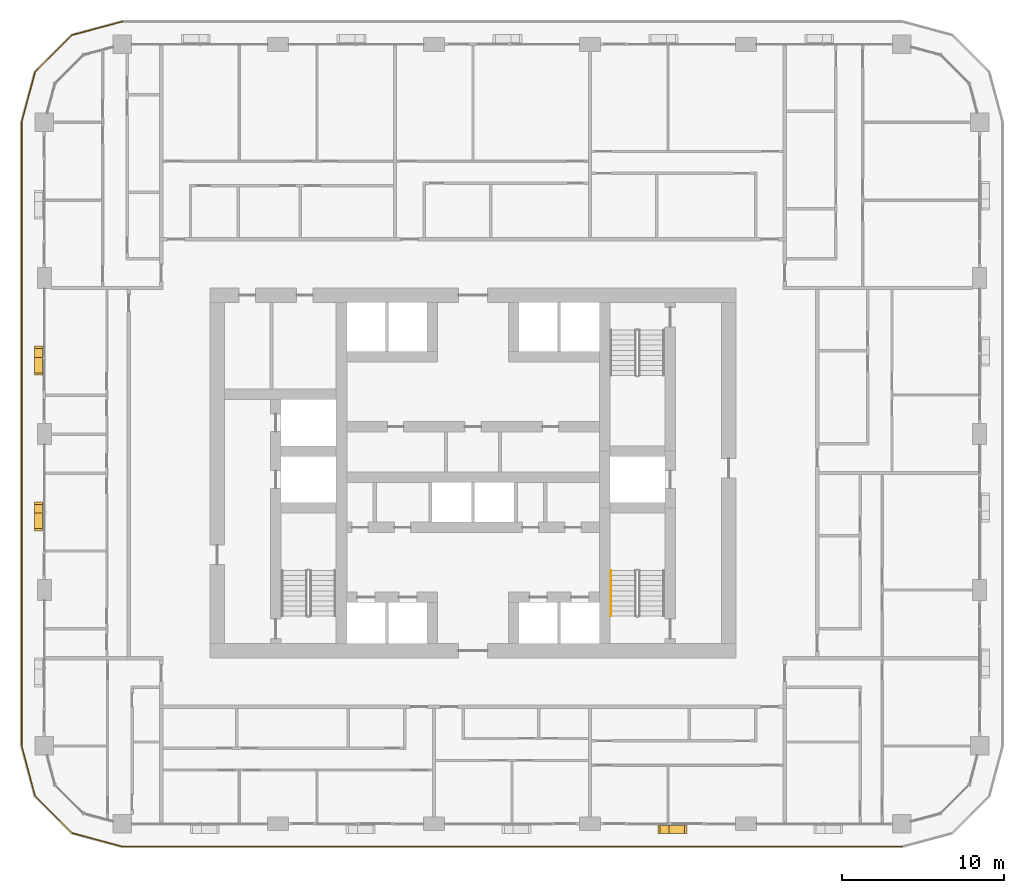
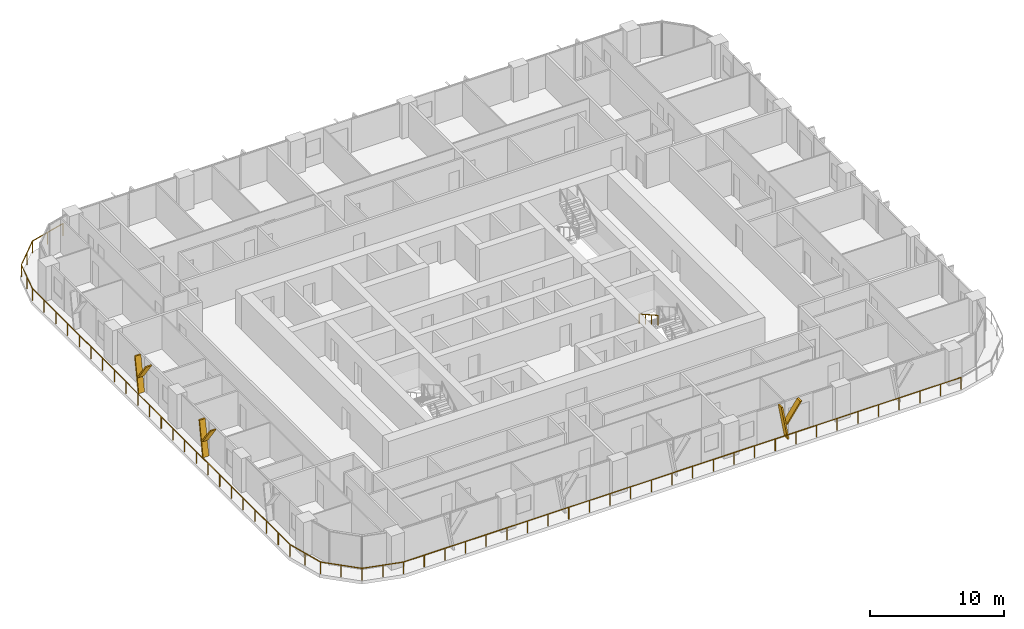
# One storey, part 17 of 21: 6 shading devices, 2 railings.
"""IFC4 building model written with IfcOpenShell, lengths in metres."""

from ifc_helpers import new_model, si_unit, direction, frame, origin, origin_2d, place, context, subcontext, project, spatial, polyline, circle, outline, extrude, material, type_object, element, save


model = new_model("IFC4")

# Units and contexts
model_context = context("Model", 3, precision=1e-05, world=origin(), true_north=direction((0.0, 1.0)))
body_context = subcontext(model_context, "Body", "Model", "MODEL_VIEW")
ifc_project = project(units=[si_unit("LENGTHUNIT", "METRE"), si_unit("AREAUNIT", "SQUARE_METRE"), si_unit("VOLUMEUNIT", "CUBIC_METRE"), si_unit("PLANEANGLEUNIT", "RADIAN"), si_unit("MASSUNIT", "GRAM", prefix="KILO")], contexts=[model_context])

# Site, building, storey
site_placement = place(None, origin())
site = spatial("IfcSite", under=ifc_project, at=site_placement, CompositionType="ELEMENT")
building_placement = place(site_placement, origin())
building = spatial("IfcBuilding", under=site, at=building_placement, Name="Madar Terraces", CompositionType="ELEMENT")
storey_placement = place(building_placement, frame((0.0, 0.0, 110.199951171875)))
storey = spatial("IfcBuildingStorey", under=building, at=storey_placement, Name="L28", CompositionType="ELEMENT", Elevation=110.199951171875)

# Railing
ifc_material_1 = material(Name="Glass, safety glazing, with stainless steel posts", Category="steel")
railing_type_1 = type_object("IfcRailingType", Name="Balcony glass guard 1100", PredefinedType="GUARDRAIL", material=ifc_material_1)
railing_1_placement = place(storey_placement, frame((9.60009765625, 54.199951171875, 0.0)))
element("IfcRailing", 1, at=railing_1_placement, inside=storey, type_object=railing_type_1, Name="Balcony guard", PredefinedType="GUARDRAIL", context=body_context, shape_type="SweptSolid", body=[
    extrude(circle(Radius=0.02392578125, at=origin_2d()), frame((0.0, 0.0, 1.076171875), z_axis=(-0.9659337912, -0.258789317819, 0.0), x_axis=(0.258789317819, -0.9659337912, 0.0)), (0.0, 0.0, 1.0), 3.20947265625),
    extrude(circle(Radius=0.02392578125, at=origin_2d()), frame((-3.10009765625, -0.83056640625, 1.076171875), z_axis=(-0.707106781187, -0.707106781187, 0.0), x_axis=(0.707106781187, -0.707106781187, 0.0)), (0.0, 0.0, 1.0), 3.209228515625),
    extrude(circle(Radius=0.02392578125, at=origin_2d()), frame((-5.369384765625, -3.099853515625, 1.076171875), z_axis=(-0.258860290944, -0.965914773555, 0.0), x_axis=(0.965914773555, -0.258860290944, 0.0)), (0.0, 0.0, 1.0), 3.20947265625),
    extrude(circle(Radius=0.02392578125, at=origin_2d()), frame((-6.2001953125, -6.199951171875, 1.076171875), z_axis=(0.0, -1.0, 0.0), x_axis=(1.0, 0.0, 0.0)), (0.0, 0.0, 1.0), 38.39990234375),
    extrude(circle(Radius=0.02392578125, at=origin_2d()), frame((-6.2001953125, -44.599853515625, 1.076171875), z_axis=(0.258860290944, -0.965914773555, 0.0), x_axis=(0.965914773555, 0.258860290944, 0.0)), (0.0, 0.0, 1.0), 3.20947265625),
    extrude(circle(Radius=0.02392578125, at=origin_2d()), frame((-5.369384765625, -47.699951171875, 1.076171875), z_axis=(0.707106781187, -0.707106781187, 0.0), x_axis=(0.707106781187, 0.707106781187, 0.0)), (0.0, 0.0, 1.0), 3.209228515625),
    extrude(circle(Radius=0.02392578125, at=origin_2d()), frame((-3.10009765625, -49.96923828125, 1.076171875), z_axis=(0.965914773555, -0.258860290944, 0.0), x_axis=(0.258860290944, 0.965914773555, 0.0)), (0.0, 0.0, 1.0), 3.20947265625),
    extrude(circle(Radius=0.02392578125, at=origin_2d()), frame((0.0, -50.800048828125, 1.076171875), z_axis=(1.0, 0.0, 0.0), x_axis=(0.0, 1.0, 0.0)), (0.0, 0.0, 1.0), 48.0),
    extrude(circle(Radius=0.02099609375, at=origin_2d()), origin(), (0.0, 0.0, 1.0), 1.052001953125),
    extrude(circle(Radius=0.02099609375, at=origin_2d()), frame((-1.550048828125, -0.415283203125, 0.0)), (0.0, 0.0, 1.0), 1.052001953125),
    extrude(circle(Radius=0.02099609375, at=origin_2d()), frame((-3.10009765625, -0.83056640625, 0.0)), (0.0, 0.0, 1.0), 1.052001953125),
    extrude(circle(Radius=0.02099609375, at=origin_2d()), frame((-4.23486328125, -1.96533203125, 0.0)), (0.0, 0.0, 1.0), 1.052001953125),
    extrude(circle(Radius=0.02099609375, at=origin_2d()), frame((-5.369384765625, -3.099853515625, 0.0)), (0.0, 0.0, 1.0), 1.052001953125),
    extrude(circle(Radius=0.02099609375, at=origin_2d()), frame((-5.78466796875, -4.64990234375, 0.0)), (0.0, 0.0, 1.0), 1.052001953125),
    extrude(circle(Radius=0.02099609375, at=origin_2d()), frame((-6.2001953125, -6.199951171875, 0.0)), (0.0, 0.0, 1.0), 1.052001953125),
    extrude(circle(Radius=0.02099609375, at=origin_2d()), frame((-6.2001953125, -7.9453125, 0.0)), (0.0, 0.0, 1.0), 1.052001953125),
    extrude(circle(Radius=0.02099609375, at=origin_2d()), frame((-6.2001953125, -9.69091796875, 0.0)), (0.0, 0.0, 1.0), 1.052001953125),
    extrude(circle(Radius=0.02099609375, at=origin_2d()), frame((-6.2001953125, -11.436279296875, 0.0)), (0.0, 0.0, 1.0), 1.052001953125),
    extrude(circle(Radius=0.02099609375, at=origin_2d()), frame((-6.2001953125, -13.181640625, 0.0)), (0.0, 0.0, 1.0), 1.052001953125),
    extrude(circle(Radius=0.02099609375, at=origin_2d()), frame((-6.2001953125, -14.92724609375, 0.0)), (0.0, 0.0, 1.0), 1.052001953125),
    extrude(circle(Radius=0.02099609375, at=origin_2d()), frame((-6.2001953125, -16.672607421875, 0.0)), (0.0, 0.0, 1.0), 1.052001953125),
    extrude(circle(Radius=0.02099609375, at=origin_2d()), frame((-6.2001953125, -18.418212890625, 0.0)), (0.0, 0.0, 1.0), 1.052001953125),
    extrude(circle(Radius=0.02099609375, at=origin_2d()), frame((-6.2001953125, -20.16357421875, 0.0)), (0.0, 0.0, 1.0), 1.052001953125),
    extrude(circle(Radius=0.02099609375, at=origin_2d()), frame((-6.2001953125, -21.908935546875, 0.0)), (0.0, 0.0, 1.0), 1.052001953125),
    extrude(circle(Radius=0.02099609375, at=origin_2d()), frame((-6.2001953125, -23.654541015625, 0.0)), (0.0, 0.0, 1.0), 1.052001953125),
    extrude(circle(Radius=0.02099609375, at=origin_2d()), frame((-6.2001953125, -25.39990234375, 0.0)), (0.0, 0.0, 1.0), 1.052001953125),
    extrude(circle(Radius=0.02099609375, at=origin_2d()), frame((-6.2001953125, -27.145263671875, 0.0)), (0.0, 0.0, 1.0), 1.052001953125),
    extrude(circle(Radius=0.02099609375, at=origin_2d()), frame((-6.2001953125, -28.890869140625, 0.0)), (0.0, 0.0, 1.0), 1.052001953125),
    extrude(circle(Radius=0.02099609375, at=origin_2d()), frame((-6.2001953125, -30.63623046875, 0.0)), (0.0, 0.0, 1.0), 1.052001953125),
    extrude(circle(Radius=0.02099609375, at=origin_2d()), frame((-6.2001953125, -32.381591796875, 0.0)), (0.0, 0.0, 1.0), 1.052001953125),
    extrude(circle(Radius=0.02099609375, at=origin_2d()), frame((-6.2001953125, -34.127197265625, 0.0)), (0.0, 0.0, 1.0), 1.052001953125),
    extrude(circle(Radius=0.02099609375, at=origin_2d()), frame((-6.2001953125, -35.87255859375, 0.0)), (0.0, 0.0, 1.0), 1.052001953125),
    extrude(circle(Radius=0.02099609375, at=origin_2d()), frame((-6.2001953125, -37.6181640625, 0.0)), (0.0, 0.0, 1.0), 1.052001953125),
    extrude(circle(Radius=0.02099609375, at=origin_2d()), frame((-6.2001953125, -39.363525390625, 0.0)), (0.0, 0.0, 1.0), 1.052001953125),
    extrude(circle(Radius=0.02099609375, at=origin_2d()), frame((-6.2001953125, -41.10888671875, 0.0)), (0.0, 0.0, 1.0), 1.052001953125),
    extrude(circle(Radius=0.02099609375, at=origin_2d()), frame((-6.2001953125, -42.8544921875, 0.0)), (0.0, 0.0, 1.0), 1.052001953125),
    extrude(circle(Radius=0.02099609375, at=origin_2d()), frame((-6.2001953125, -44.599853515625, 0.0)), (0.0, 0.0, 1.0), 1.052001953125),
    extrude(circle(Radius=0.02099609375, at=origin_2d()), frame((-5.78466796875, -46.14990234375, 0.0)), (0.0, 0.0, 1.0), 1.052001953125),
    extrude(circle(Radius=0.02099609375, at=origin_2d()), frame((-5.369384765625, -47.699951171875, 0.0)), (0.0, 0.0, 1.0), 1.052001953125),
    extrude(circle(Radius=0.02099609375, at=origin_2d()), frame((-4.23486328125, -48.83447265625, 0.0)), (0.0, 0.0, 1.0), 1.052001953125),
    extrude(circle(Radius=0.02099609375, at=origin_2d()), frame((-3.10009765625, -49.96923828125, 0.0)), (0.0, 0.0, 1.0), 1.052001953125),
    extrude(circle(Radius=0.02099609375, at=origin_2d()), frame((-1.550048828125, -50.384765625, 0.0)), (0.0, 0.0, 1.0), 1.052001953125),
    extrude(circle(Radius=0.02099609375, at=origin_2d()), frame((0.0, -50.800048828125, 0.0)), (0.0, 0.0, 1.0), 1.052001953125),
    extrude(circle(Radius=0.02099609375, at=origin_2d()), frame((1.77783203125, -50.800048828125, 0.0)), (0.0, 0.0, 1.0), 1.052001953125),
    extrude(circle(Radius=0.02099609375, at=origin_2d()), frame((3.5556640625, -50.800048828125, 0.0)), (0.0, 0.0, 1.0), 1.052001953125),
    extrude(circle(Radius=0.02099609375, at=origin_2d()), frame((5.333251953125, -50.800048828125, 0.0)), (0.0, 0.0, 1.0), 1.052001953125),
    extrude(circle(Radius=0.02099609375, at=origin_2d()), frame((7.111083984375, -50.800048828125, 0.0)), (0.0, 0.0, 1.0), 1.052001953125),
    extrude(circle(Radius=0.02099609375, at=origin_2d()), frame((8.888916015625, -50.800048828125, 0.0)), (0.0, 0.0, 1.0), 1.052001953125),
    extrude(circle(Radius=0.02099609375, at=origin_2d()), frame((10.666748046875, -50.800048828125, 0.0)), (0.0, 0.0, 1.0), 1.052001953125),
    extrude(circle(Radius=0.02099609375, at=origin_2d()), frame((12.4443359375, -50.800048828125, 0.0)), (0.0, 0.0, 1.0), 1.052001953125),
    extrude(circle(Radius=0.02099609375, at=origin_2d()), frame((14.22216796875, -50.800048828125, 0.0)), (0.0, 0.0, 1.0), 1.052001953125),
    extrude(circle(Radius=0.02099609375, at=origin_2d()), frame((16.0, -50.800048828125, 0.0)), (0.0, 0.0, 1.0), 1.052001953125),
    extrude(circle(Radius=0.02099609375, at=origin_2d()), frame((17.77783203125, -50.800048828125, 0.0)), (0.0, 0.0, 1.0), 1.052001953125),
    extrude(circle(Radius=0.02099609375, at=origin_2d()), frame((19.5556640625, -50.800048828125, 0.0)), (0.0, 0.0, 1.0), 1.052001953125),
    extrude(circle(Radius=0.02099609375, at=origin_2d()), frame((21.333251953125, -50.800048828125, 0.0)), (0.0, 0.0, 1.0), 1.052001953125),
    extrude(circle(Radius=0.02099609375, at=origin_2d()), frame((23.111083984375, -50.800048828125, 0.0)), (0.0, 0.0, 1.0), 1.052001953125),
    extrude(circle(Radius=0.02099609375, at=origin_2d()), frame((24.888916015625, -50.800048828125, 0.0)), (0.0, 0.0, 1.0), 1.052001953125),
    extrude(circle(Radius=0.02099609375, at=origin_2d()), frame((26.666748046875, -50.800048828125, 0.0)), (0.0, 0.0, 1.0), 1.052001953125),
    extrude(circle(Radius=0.02099609375, at=origin_2d()), frame((28.4443359375, -50.800048828125, 0.0)), (0.0, 0.0, 1.0), 1.052001953125),
    extrude(circle(Radius=0.02099609375, at=origin_2d()), frame((30.22216796875, -50.800048828125, 0.0)), (0.0, 0.0, 1.0), 1.052001953125),
    extrude(circle(Radius=0.02099609375, at=origin_2d()), frame((32.0, -50.800048828125, 0.0)), (0.0, 0.0, 1.0), 1.052001953125),
    extrude(circle(Radius=0.02099609375, at=origin_2d()), frame((33.77783203125, -50.800048828125, 0.0)), (0.0, 0.0, 1.0), 1.052001953125),
    extrude(circle(Radius=0.02099609375, at=origin_2d()), frame((35.5556640625, -50.800048828125, 0.0)), (0.0, 0.0, 1.0), 1.052001953125),
    extrude(circle(Radius=0.02099609375, at=origin_2d()), frame((37.333251953125, -50.800048828125, 0.0)), (0.0, 0.0, 1.0), 1.052001953125),
    extrude(circle(Radius=0.02099609375, at=origin_2d()), frame((39.111083984375, -50.800048828125, 0.0)), (0.0, 0.0, 1.0), 1.052001953125),
    extrude(circle(Radius=0.02099609375, at=origin_2d()), frame((40.888916015625, -50.800048828125, 0.0)), (0.0, 0.0, 1.0), 1.052001953125),
    extrude(circle(Radius=0.02099609375, at=origin_2d()), frame((42.666748046875, -50.800048828125, 0.0)), (0.0, 0.0, 1.0), 1.052001953125),
    extrude(circle(Radius=0.02099609375, at=origin_2d()), frame((44.4443359375, -50.800048828125, 0.0)), (0.0, 0.0, 1.0), 1.052001953125),
    extrude(circle(Radius=0.02099609375, at=origin_2d()), frame((46.22216796875, -50.800048828125, 0.0)), (0.0, 0.0, 1.0), 1.052001953125),
    extrude(circle(Radius=0.02099609375, at=origin_2d()), frame((48.0, -50.800048828125, 0.0)), (0.0, 0.0, 1.0), 1.052001953125),
])

# Shading devices
ifc_material_2 = material(Name="Aluminium, black anodised", Category="aluminium")
shading_device_type = type_object("IfcShadingDeviceType", Name="Facade fin blade 140 x 500", PredefinedType="USERDEFINED", material=ifc_material_2)
shading_device_1_placement = place(storey_placement, frame((43.1298828125, 4.449951171875, 0.0), z_axis=(0.0, 0.0, 1.0), x_axis=(1.0, 0.0, 0.0)))
element("IfcShadingDevice", 2, at=shading_device_1_placement, inside=storey, type_object=shading_device_type, Name="FIN L28 S4", ObjectType="FIN", PredefinedType="USERDEFINED", context=body_context, shape_type="SweptSolid", body=[
    extrude(outline(polyline([(0.0, 0.0), (0.14013671875, 0.0), (-0.403076171875, 3.080078125), (-0.54296875, 3.080078125), (0.0, 0.0)])), frame((0.0, 0.25, 0.0), z_axis=(0.0, -1.0, 0.0), x_axis=(1.0, 0.0, 0.0)), (0.0, 0.0, 1.0), 0.5),
])
shading_device_2_placement = place(storey_placement, frame((43.025634765625, 4.449951171875, 1.385986328125), z_axis=(0.0, 0.0, 1.0), x_axis=(1.0, 0.0, 0.0)))
element("IfcShadingDevice", 3, at=shading_device_2_placement, inside=storey, type_object=shading_device_type, Name="FIN L28 S4 branch", ObjectType="FIN", PredefinedType="USERDEFINED", context=body_context, shape_type="SweptSolid", body=[
    extrude(outline(polyline([(0.0, 0.0), (0.139892578125, 0.0), (1.34130859375, 1.694091796875), (1.201416015625, 1.694091796875), (0.0, 0.0)])), frame((0.0, 0.25, 0.0), z_axis=(0.0, -1.0, 0.0), x_axis=(1.0, 0.0, 0.0)), (0.0, 0.0, 1.0), 0.5),
])
shading_device_3_placement = place(storey_placement, frame((4.449951171875, 33.669921875, 0.0), z_axis=(0.0, 0.0, 1.0), x_axis=(0.0, -1.0, 0.0)))
element("IfcShadingDevice", 4, at=shading_device_3_placement, inside=storey, type_object=shading_device_type, Name="FIN L28 W2", ObjectType="FIN", PredefinedType="USERDEFINED", context=body_context, shape_type="SweptSolid", body=[
    extrude(outline(polyline([(0.0, 0.0), (0.139892578125, 0.0), (-0.403076171875, 3.080078125), (-0.54296875, 3.080078125), (0.0, 0.0)])), frame((0.0, 0.25, 0.0), z_axis=(0.0, -1.0, 0.0), x_axis=(1.0, 0.0, 0.0)), (0.0, 0.0, 1.0), 0.5),
])
shading_device_4_placement = place(storey_placement, frame((4.449951171875, 33.7744140625, 1.385986328125), z_axis=(0.0, 0.0, 1.0), x_axis=(0.0, -1.0, 0.0)))
element("IfcShadingDevice", 5, at=shading_device_4_placement, inside=storey, type_object=shading_device_type, Name="FIN L28 W2 branch", ObjectType="FIN", PredefinedType="USERDEFINED", context=body_context, shape_type="SweptSolid", body=[
    extrude(outline(polyline([(0.0, 0.0), (0.14013671875, 0.0), (1.34130859375, 1.694091796875), (1.201416015625, 1.694091796875), (0.0, 0.0)])), frame((0.0, 0.25, 0.0), z_axis=(0.0, -1.0, 0.0), x_axis=(1.0, 0.0, 0.0)), (0.0, 0.0, 1.0), 0.5),
])
shading_device_5_placement = place(storey_placement, frame((4.449951171875, 24.070068359375, 0.0), z_axis=(0.0, 0.0, 1.0), x_axis=(0.0, -1.0, 0.0)))
element("IfcShadingDevice", 6, at=shading_device_5_placement, inside=storey, type_object=shading_device_type, Name="FIN L28 W3", ObjectType="FIN", PredefinedType="USERDEFINED", context=body_context, shape_type="SweptSolid", body=[
    extrude(outline(polyline([(0.0, 0.0), (0.14013671875, 0.0), (-0.403076171875, 3.080078125), (-0.54296875, 3.080078125), (0.0, 0.0)])), frame((0.0, 0.25, 0.0), z_axis=(0.0, -1.0, 0.0), x_axis=(1.0, 0.0, 0.0)), (0.0, 0.0, 1.0), 0.5),
])
shading_device_6_placement = place(storey_placement, frame((4.449951171875, 24.17431640625, 1.385986328125), z_axis=(0.0, 0.0, 1.0), x_axis=(0.0, -1.0, 0.0)))
element("IfcShadingDevice", 7, at=shading_device_6_placement, inside=storey, type_object=shading_device_type, Name="FIN L28 W3 branch", ObjectType="FIN", PredefinedType="USERDEFINED", context=body_context, shape_type="SweptSolid", body=[
    extrude(outline(polyline([(0.0, 0.0), (0.139892578125, 0.0), (1.34130859375, 1.694091796875), (1.201416015625, 1.694091796875), (0.0, 0.0)])), frame((0.0, 0.25, 0.0), z_axis=(0.0, -1.0, 0.0), x_axis=(1.0, 0.0, 0.0)), (0.0, 0.0, 1.0), 0.5),
])

# Railing
ifc_material_3 = material(Name="Stainless steel railing", Category="steel")
railing_type_2 = type_object("IfcRailingType", Name="Stair handrail 900", PredefinedType="HANDRAIL", material=ifc_material_3)
railing_2_placement = place(storey_placement, frame((39.699951171875, 20.389892578125, 1.925048828125)))
element("IfcRailing", 8, at=railing_2_placement, inside=storey, type_object=railing_type_2, Name="L28 ST3 stair handrail 2", PredefinedType="HANDRAIL", context=body_context, shape_type="SweptSolid", body=[
    extrude(circle(Radius=0.02392578125, at=origin_2d()), frame((0.0, 0.0, 0.8759765625), z_axis=(0.0, -0.870815363784, 0.491610213684), x_axis=(1.0, 0.0, 0.0)), (0.0, 0.0, 1.0), 3.20361328125),
    extrude(circle(Radius=0.02099609375, at=origin_2d()), origin(), (0.0, 0.0, 1.0), 0.851806640625),
    extrude(circle(Radius=0.02099609375, at=origin_2d()), frame((0.0, -0.929931640625, 0.52490234375)), (0.0, 0.0, 1.0), 0.851806640625),
    extrude(circle(Radius=0.02099609375, at=origin_2d()), frame((0.0, -1.85986328125, 1.050048828125)), (0.0, 0.0, 1.0), 0.851806640625),
    extrude(circle(Radius=0.02099609375, at=origin_2d()), frame((0.0, -2.789794921875, 1.574951171875)), (0.0, 0.0, 1.0), 0.851806640625),
])

save(model, "model.ifc")
